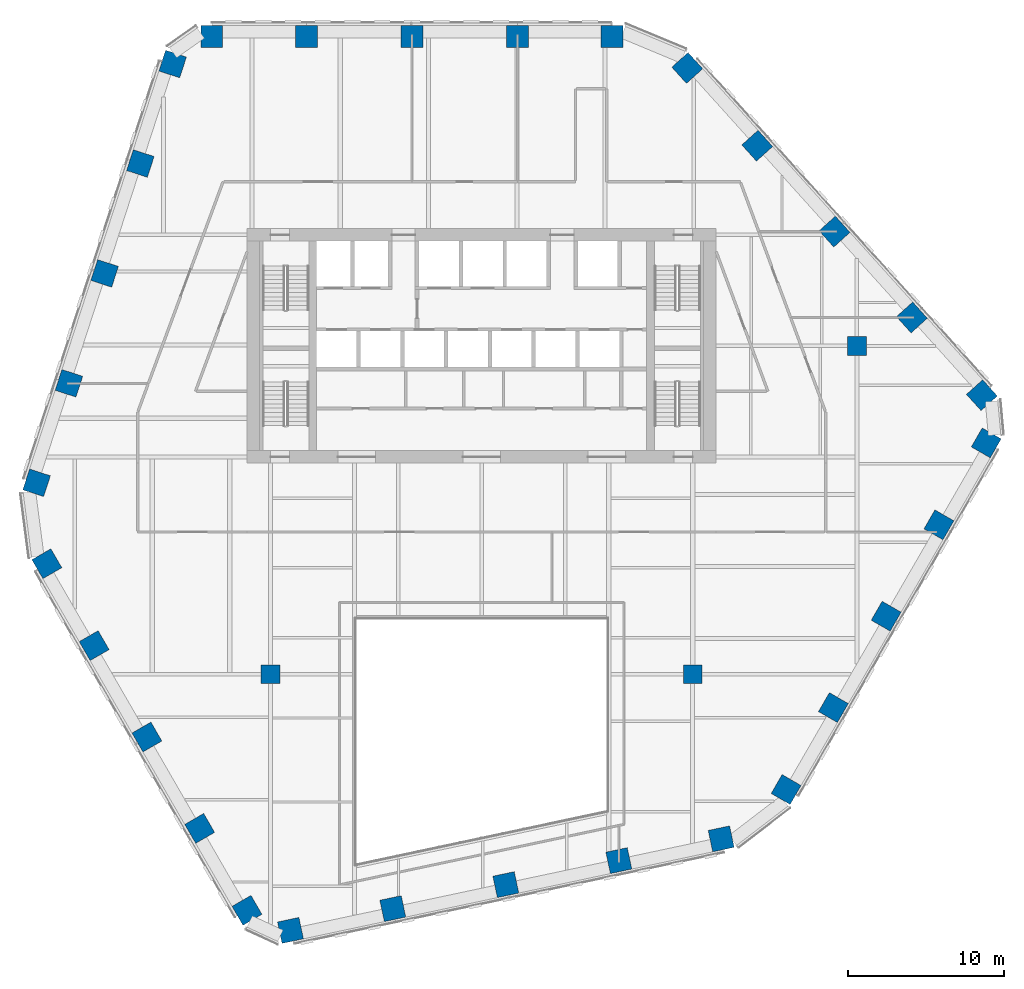
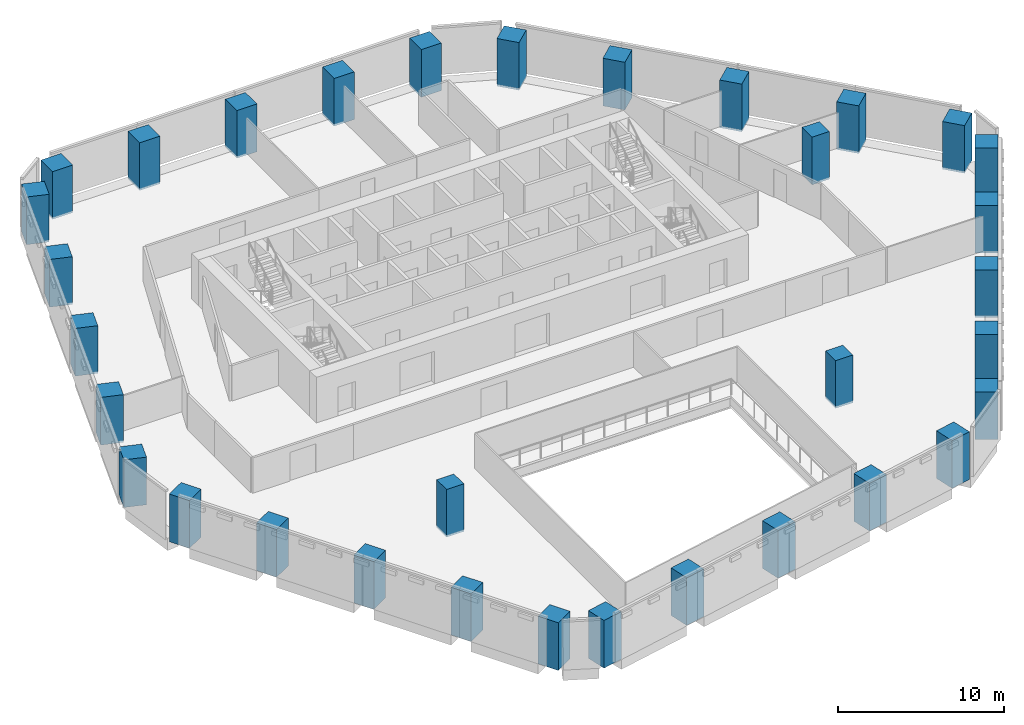
# One storey, part 1 of 17: 33 columns.
"""IFC4 building model written with IfcOpenShell, lengths in metres."""

from ifc_helpers import new_model, si_unit, direction, frame, origin, origin_2d, place, context, subcontext, project, spatial, rectangle, extrude, material, material_profile, profile_set, type_object, element, save


model = new_model("IFC4")

# Units and contexts
model_context = context("Model", 3, precision=1e-05, world=origin(), true_north=direction((0.0, 1.0)))
body_context = subcontext(model_context, "Body", "Model", "MODEL_VIEW")
ifc_project = project(units=[si_unit("LENGTHUNIT", "METRE"), si_unit("AREAUNIT", "SQUARE_METRE"), si_unit("VOLUMEUNIT", "CUBIC_METRE"), si_unit("PLANEANGLEUNIT", "RADIAN"), si_unit("MASSUNIT", "GRAM", prefix="KILO")], contexts=[model_context])

# Site, building, storey
site_placement = place(None, origin())
site = spatial("IfcSite", under=ifc_project, at=site_placement, CompositionType="ELEMENT")
building_placement = place(site_placement, origin())
building = spatial("IfcBuilding", under=site, at=building_placement, Name="Isthmus Gate Tower", CompositionType="ELEMENT")
storey_placement = place(building_placement, frame((0.0, 0.0, 162.64990234375)))
storey = spatial("IfcBuildingStorey", under=building, at=storey_placement, Name="L40", CompositionType="ELEMENT", Elevation=162.64990234375)

# Columns
ifc_material_1 = material(Name="Concrete f'c 60 MPa", Category="concrete")
ifc_material_profile_1 = material_profile(ifc_material_1, rectangle(XDim=1.199951171875, YDim=1.199951171875, at=origin_2d()), Name="RC 1200X1200")
ifc_profile_set_1 = profile_set([ifc_material_profile_1], Name="Concrete f'c 60 MPa")
column_type_1 = type_object("IfcColumnType", Name="RC INTERIOR COLUMN 1200 X 1200", PredefinedType="COLUMN", material=ifc_profile_set_1)
for number, where, z_axis, x_axis, name in (
    (1, (-13.5, -13.5, -0.14990234375), (0.0, 0.0, 1.0), (1.0, 0.0, 0.0), "str-icol-L40-ICB2"),
    (2, (13.5, -13.5, -0.14990234375), (0.0, 0.0, 1.0), (1.0, 0.0, 0.0), "str-icol-L40-ICD2"),
    (3, (24.0, 7.5, -0.14990234375), (0.0, 0.0, 1.0), (1.0, 0.0, 0.0), "str-icol-L40-ICE3"),
):
    element("IfcColumn", number, at=place(storey_placement, frame(where, z_axis=z_axis, x_axis=x_axis)), inside=storey, type_object=column_type_1, Name=name, PredefinedType="COLUMN", context=body_context, shape_type="SweptSolid", body=[
        extrude(rectangle(XDim=1.199951171875, YDim=1.199951171875, at=origin_2d()), origin(), (0.0, 0.0, 1.0), 3.5),
    ])
ifc_material_2 = material(Name="Concrete f'c 60 MPa", Category="concrete")
ifc_material_profile_2 = material_profile(ifc_material_2, rectangle(XDim=1.39990234375, YDim=1.39990234375, at=origin_2d()), Name="RC 1400X1400")
ifc_profile_set_2 = profile_set([ifc_material_profile_2], Name="Concrete f'c 60 MPa")
column_type_2 = type_object("IfcColumnType", Name="RC TUBE COLUMN 1400 X 1400", PredefinedType="COLUMN", material=ifc_profile_set_2)
for number, where, z_axis, x_axis, name in (
    (4, (8.338623046875, 27.300048828125, -0.14990234375), (0.0, 0.0, 1.0), (-1.0, 0.0, 0.0), "str-tcol-L40-T2N0"),
    (5, (2.288330078125, 27.300048828125, -0.14990234375), (0.0, 0.0, 1.0), (-1.0, 0.0, 0.0), "str-tcol-L40-T2N1"),
    (6, (-4.461669921875, 27.300048828125, -0.14990234375), (0.0, 0.0, 1.0), (-1.0, 0.0, 0.0), "str-tcol-L40-T2N2"),
    (7, (-11.2119140625, 27.300048828125, -0.14990234375), (0.0, 0.0, 1.0), (-1.0, 0.0, 0.0), "str-tcol-L40-T2N3"),
    (8, (-17.261962890625, 27.300048828125, -0.14990234375), (0.0, 0.0, 1.0), (-1.0, 0.0, 0.0), "str-tcol-L40-T2N4"),
    (9, (-19.765380859375, 25.532958984375, -0.14990234375), (0.0, 0.0, 1.0), (-0.309016994375, -0.951056516295, 0.0), "str-tcol-L40-T2NW0"),
    (10, (-21.8330078125, 19.169677734375, -0.14990234375), (0.0, 0.0, 1.0), (-0.309016994375, -0.951056516295, 0.0), "str-tcol-L40-T2NW1"),
    (11, (-24.116943359375, 12.140625, -0.14990234375), (0.0, 0.0, 1.0), (-0.309016994375, -0.951056516295, 0.0), "str-tcol-L40-T2NW2"),
    (12, (-26.400634765625, 5.111328125, -0.14990234375), (0.0, 0.0, 1.0), (-0.309016994375, -0.951056516295, 0.0), "str-tcol-L40-T2NW3"),
    (13, (-28.46826171875, -1.251953125, -0.14990234375), (0.0, 0.0, 1.0), (-0.309016994375, -0.951056516295, 0.0), "str-tcol-L40-T2NW4"),
    (14, (-27.811767578125, -6.4287109375, -0.14990234375), (0.0, 0.0, 1.0), (0.5, -0.866025403784, 0.0), "str-tcol-L40-T2SW0"),
    (15, (-24.78662109375, -11.668212890625, -0.14990234375), (0.0, 0.0, 1.0), (0.5, -0.866025403784, 0.0), "str-tcol-L40-T2SW1"),
    (16, (-21.41162109375, -17.513916015625, -0.14990234375), (0.0, 0.0, 1.0), (0.5, -0.866025403784, 0.0), "str-tcol-L40-T2SW2"),
    (17, (-18.03662109375, -23.359619140625, -0.14990234375), (0.0, 0.0, 1.0), (0.5, -0.866025403784, 0.0), "str-tcol-L40-T2SW3"),
    (18, (-15.011474609375, -28.599365234375, -0.14990234375), (0.0, 0.0, 1.0), (0.5, -0.866025403784, 0.0), "str-tcol-L40-T2SW4"),
    (19, (-12.2294921875, -29.8837890625, -0.14990234375), (0.0, 0.0, 1.0), (0.978147600734, 0.207911690818, 0.0), "str-tcol-L40-T2S0"),
    (20, (-5.684814453125, -28.49267578125, -0.14990234375), (0.0, 0.0, 1.0), (0.978147600734, 0.207911690818, 0.0), "str-tcol-L40-T2S1"),
    (21, (1.54443359375, -26.9560546875, -0.14990234375), (0.0, 0.0, 1.0), (0.978147600734, 0.207911690818, 0.0), "str-tcol-L40-T2S2"),
    (22, (8.773681640625, -25.41943359375, -0.14990234375), (0.0, 0.0, 1.0), (0.978147600734, 0.207911690818, 0.0), "str-tcol-L40-T2S3"),
    (23, (15.318359375, -24.0283203125, -0.14990234375), (0.0, 0.0, 1.0), (0.978147600734, 0.207911690818, 0.0), "str-tcol-L40-T2S4"),
    (24, (19.47314453125, -20.871337890625, -0.14990234375), (0.0, 0.0, 1.0), (0.5, 0.866025403784, 0.0), "str-tcol-L40-T2SE0"),
    (25, (22.498291015625, -15.6318359375, -0.14990234375), (0.0, 0.0, 1.0), (0.5, 0.866025403784, 0.0), "str-tcol-L40-T2SE1"),
    (26, (25.873291015625, -9.7861328125, -0.14990234375), (0.0, 0.0, 1.0), (0.5, 0.866025403784, 0.0), "str-tcol-L40-T2SE2"),
    (27, (29.248291015625, -3.940185546875, -0.14990234375), (0.0, 0.0, 1.0), (0.5, 0.866025403784, 0.0), "str-tcol-L40-T2SE3"),
    (28, (32.2734375, 1.29931640625, -0.14990234375), (0.0, 0.0, 1.0), (0.5, 0.866025403784, 0.0), "str-tcol-L40-T2SE4"),
    (29, (31.994873046875, 4.350830078125, -0.14990234375), (0.0, 0.0, 1.0), (-0.669130606359, 0.743144825477, 0.0), "str-tcol-L40-T2NE0"),
    (30, (27.517822265625, 9.3232421875, -0.14990234375), (0.0, 0.0, 1.0), (-0.669130606359, 0.743144825477, 0.0), "str-tcol-L40-T2NE1"),
    (31, (22.572509765625, 14.815673828125, -0.14990234375), (0.0, 0.0, 1.0), (-0.669130606359, 0.743144825477, 0.0), "str-tcol-L40-T2NE2"),
    (32, (17.626953125, 20.30810546875, -0.14990234375), (0.0, 0.0, 1.0), (-0.669130606359, 0.743144825477, 0.0), "str-tcol-L40-T2NE3"),
    (33, (13.14990234375, 25.2802734375, -0.14990234375), (0.0, 0.0, 1.0), (-0.669130606359, 0.743144825477, 0.0), "str-tcol-L40-T2NE4"),
):
    element("IfcColumn", number, at=place(storey_placement, frame(where, z_axis=z_axis, x_axis=x_axis)), inside=storey, type_object=column_type_2, Name=name, PredefinedType="COLUMN", context=body_context, shape_type="SweptSolid", body=[
        extrude(rectangle(XDim=1.39990234375, YDim=1.39990234375, at=origin_2d()), origin(), (0.0, 0.0, 1.0), 3.5),
    ])

save(model, "model.ifc")
